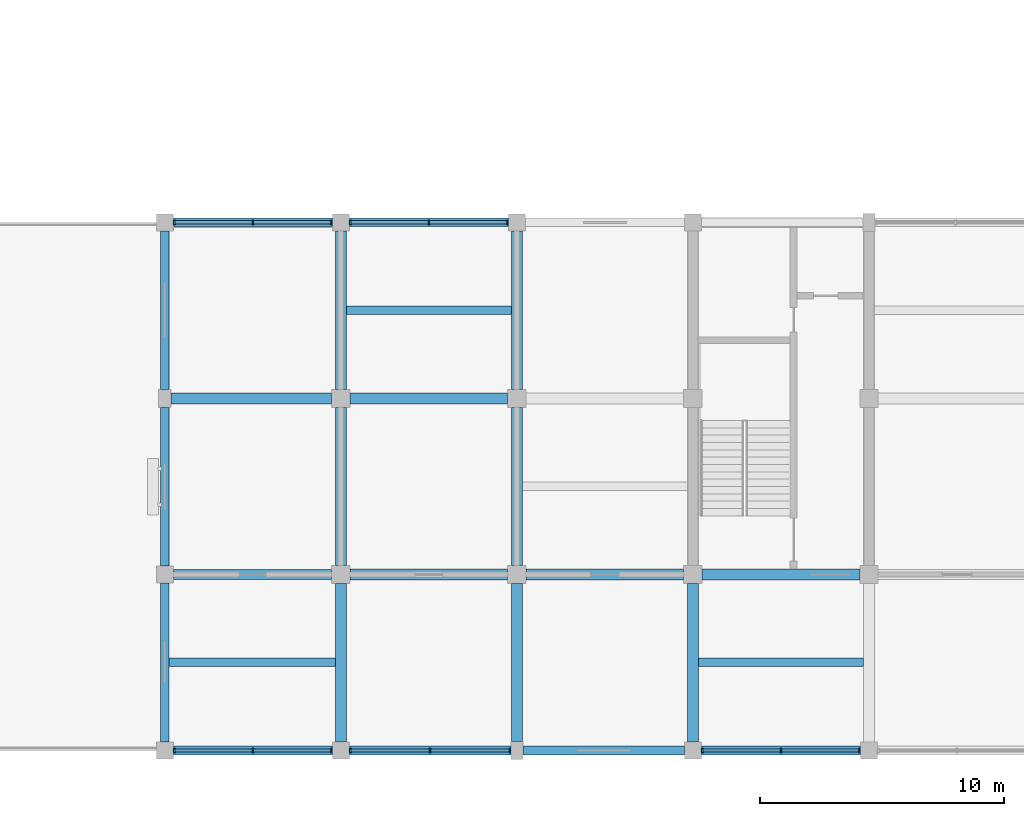
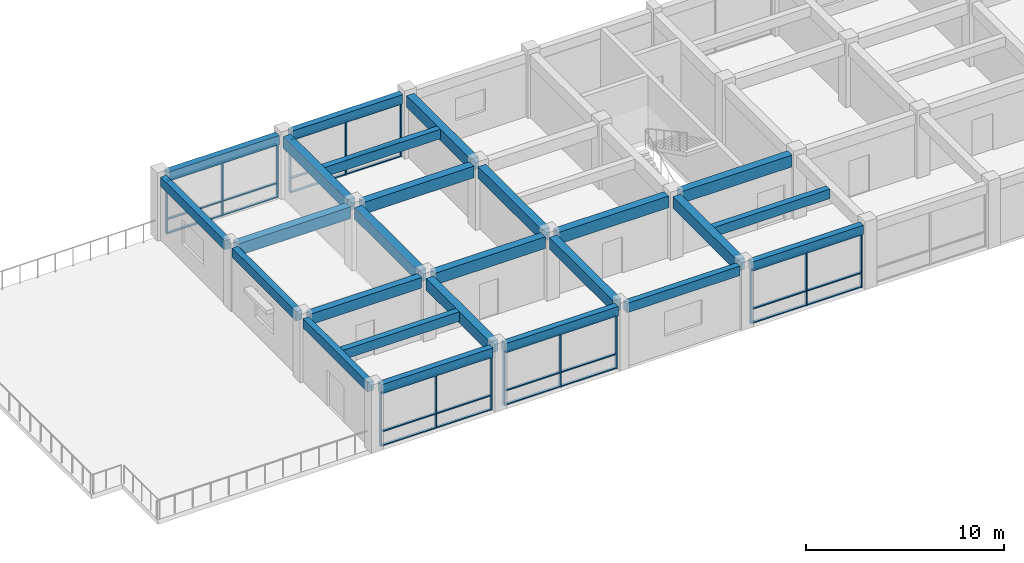
# One storey, part 2 of 31: 45 members, 25 beams, 5 elements without a shape of their own.
"""IFC4 building model written with IfcOpenShell, lengths in metres."""

from ifc_helpers import new_model, si_unit, direction, frame, origin, origin_2d, place, context, subcontext, project, spatial, rectangle, extrude, material, layer, layer_set, material_profile, profile_set, type_object, element, aggregate, save


model = new_model("IFC4")

# Units and contexts
model_context = context("Model", 3, precision=1e-05, world=origin(), true_north=direction((0.0, 1.0)))
body_context = subcontext(model_context, "Body", "Model", "MODEL_VIEW")
ifc_project = project(units=[si_unit("LENGTHUNIT", "METRE"), si_unit("AREAUNIT", "SQUARE_METRE"), si_unit("VOLUMEUNIT", "CUBIC_METRE"), si_unit("PLANEANGLEUNIT", "RADIAN"), si_unit("MASSUNIT", "GRAM", prefix="KILO")], contexts=[model_context])

# Site, building, storey
site_placement = place(None, origin())
site = spatial("IfcSite", under=ifc_project, at=site_placement, CompositionType="ELEMENT")
building_placement = place(site_placement, origin())
building = spatial("IfcBuilding", under=site, at=building_placement, Name="Cendaluz Park School", CompositionType="ELEMENT")
storey_placement = place(building_placement, frame((0.0, 0.0, 14.39990234375)))
storey = spatial("IfcBuildingStorey", under=building, at=storey_placement, Name="L03", CompositionType="ELEMENT", Elevation=14.39990234375)

# Beams
ifc_material_1 = material(Name="Concrete C40/50", Category="concrete")
ifc_material_profile_1 = material_profile(ifc_material_1, rectangle(XDim=0.449951171875, YDim=0.719970703125, at=origin_2d()), Name="RC 450x720", Category="concrete")
ifc_profile_set_1 = profile_set([ifc_material_profile_1], Name="Concrete C40/50")
beam_type_1 = type_object("IfcBeamType", Name="BM-RC02", PredefinedType="BEAM", material=ifc_profile_set_1)
beam_1_placement = place(storey_placement, frame((14.64990234375, 21.60009765625, 3.530029296875), z_axis=(1.0, 0.0, 0.0), x_axis=(0.0, 1.0, 0.0)))
element("IfcBeam", 1, at=beam_1_placement, inside=storey, type_object=beam_type_1, Name="BM-L03-BMRC02-0003", PredefinedType="BEAM", context=body_context, shape_type="SweptSolid", body=[
    extrude(rectangle(XDim=0.449951171875, YDim=0.719970703125, at=origin_2d()), origin(), (0.0, 0.0, 1.0), 6.5751953125),
])
for number, where, z_axis, x_axis, name in (
    (2, (21.97509765625, 14.39990234375, 3.530029296875), (1.0, 0.0, 0.0), (0.0, 1.0, 0.0), "BM-L03-BMRC02-0006"),
    (3, (21.97509765625, 21.60009765625, 3.530029296875), (1.0, 0.0, 0.0), (0.0, 1.0, 0.0), "BM-L03-BMRC02-0007"),
    (4, (29.175048828125, 14.39990234375, 3.530029296875), (1.0, 0.0, 0.0), (0.0, 1.0, 0.0), "BM-L03-BMRC02-0010"),
    (5, (36.375, 14.39990234375, 3.530029296875), (1.0, 0.0, 0.0), (0.0, 1.0, 0.0), "BM-L03-BMRC02-0014"),
):
    element("IfcBeam", number, at=place(storey_placement, frame(where, z_axis=z_axis, x_axis=x_axis)), inside=storey, type_object=beam_type_1, Name=name, PredefinedType="BEAM", context=body_context, shape_type="SweptSolid", body=[
        extrude(rectangle(XDim=0.449951171875, YDim=0.719970703125, at=origin_2d()), origin(), (0.0, 0.0, 1.0), 6.449951171875),
    ])
beam_2_placement = place(storey_placement, frame((21.60009765625, 7.550048828125, 3.530029296875), z_axis=(0.0, 1.0, 0.0), x_axis=(-1.0, 0.0, 0.0)))
element("IfcBeam", 6, at=beam_2_placement, inside=storey, type_object=beam_type_1, Name="BM-L03-BMRC02-0114", PredefinedType="BEAM", context=body_context, shape_type="SweptSolid", body=[
    extrude(rectangle(XDim=0.449951171875, YDim=0.719970703125, at=origin_2d()), origin(), (0.0, 0.0, 1.0), 6.474853515625),
])
beam_3_placement = place(storey_placement, frame((21.60009765625, 14.77490234375, 3.530029296875), z_axis=(0.0, 1.0, 0.0), x_axis=(-1.0, 0.0, 0.0)))
element("IfcBeam", 7, at=beam_3_placement, inside=storey, type_object=beam_type_1, Name="BM-L03-BMRC02-0115", PredefinedType="BEAM", context=body_context, shape_type="SweptSolid", body=[
    extrude(rectangle(XDim=0.449951171875, YDim=0.719970703125, at=origin_2d()), origin(), (0.0, 0.0, 1.0), 6.4501953125),
])
beam_4_placement = place(storey_placement, frame((21.60009765625, 21.97509765625, 3.530029296875), z_axis=(0.0, 1.0, 0.0), x_axis=(-1.0, 0.0, 0.0)))
element("IfcBeam", 8, at=beam_4_placement, inside=storey, type_object=beam_type_1, Name="BM-L03-BMRC02-0116", PredefinedType="BEAM", context=body_context, shape_type="SweptSolid", body=[
    extrude(rectangle(XDim=0.449951171875, YDim=0.719970703125, at=origin_2d()), origin(), (0.0, 0.0, 1.0), 6.474853515625),
])
beam_5_placement = place(storey_placement, frame((28.800048828125, 7.574951171875, 3.530029296875), z_axis=(0.0, 1.0, 0.0), x_axis=(-1.0, 0.0, 0.0)))
element("IfcBeam", 9, at=beam_5_placement, inside=storey, type_object=beam_type_1, Name="BM-L03-BMRC02-0117", PredefinedType="BEAM", context=body_context, shape_type="SweptSolid", body=[
    extrude(rectangle(XDim=0.449951171875, YDim=0.719970703125, at=origin_2d()), origin(), (0.0, 0.0, 1.0), 6.449951171875),
])
beam_6_placement = place(storey_placement, frame((28.800048828125, 14.77490234375, 3.530029296875), z_axis=(0.0, 1.0, 0.0), x_axis=(-1.0, 0.0, 0.0)))
element("IfcBeam", 10, at=beam_6_placement, inside=storey, type_object=beam_type_1, Name="BM-L03-BMRC02-0118", PredefinedType="BEAM", context=body_context, shape_type="SweptSolid", body=[
    extrude(rectangle(XDim=0.449951171875, YDim=0.719970703125, at=origin_2d()), origin(), (0.0, 0.0, 1.0), 6.4501953125),
])
for number, where, z_axis, x_axis, name in (
    (11, (28.800048828125, 21.97509765625, 3.530029296875), (0.0, 1.0, 0.0), (-1.0, 0.0, 0.0), "BM-L03-BMRC02-0119"),
    (12, (36.0, 7.550048828125, 3.530029296875), (0.0, 1.0, 0.0), (-1.0, 0.0, 0.0), "BM-L03-BMRC02-0120"),
):
    element("IfcBeam", number, at=place(storey_placement, frame(where, z_axis=z_axis, x_axis=x_axis)), inside=storey, type_object=beam_type_1, Name=name, PredefinedType="BEAM", context=body_context, shape_type="SweptSolid", body=[
        extrude(rectangle(XDim=0.449951171875, YDim=0.719970703125, at=origin_2d()), origin(), (0.0, 0.0, 1.0), 6.474853515625),
    ])
ifc_material_profile_2 = material_profile(ifc_material_1, rectangle(XDim=0.39990234375, YDim=0.64990234375, at=origin_2d()), Name="RC 400x650", Category="concrete")
ifc_profile_set_2 = profile_set([ifc_material_profile_2], Name="Concrete C40/50")
beam_type_2 = type_object("IfcBeamType", Name="BM-RC03", PredefinedType="T_BEAM", material=ifc_profile_set_2)
beam_7_placement = place(storey_placement, frame((14.75, 14.39990234375, 3.565185546875), z_axis=(1.0, 0.0, 0.0), x_axis=(0.0, 1.0, 0.0)))
element("IfcBeam", 13, at=beam_7_placement, inside=storey, type_object=beam_type_2, Name="BM-L03-BMRC03-0002", PredefinedType="T_BEAM", context=body_context, shape_type="SweptSolid", body=[
    extrude(rectangle(XDim=0.39990234375, YDim=0.64990234375, at=origin_2d()), origin(), (0.0, 0.0, 1.0), 6.47509765625),
])
ifc_material_profile_3 = material_profile(ifc_material_1, rectangle(XDim=0.35009765625, YDim=0.580078125, at=origin_2d()), Name="RC 350x580", Category="concrete")
ifc_profile_set_3 = profile_set([ifc_material_profile_3], Name="Concrete C40/50")
beam_type_3 = type_object("IfcBeamType", Name="BM-RC04", PredefinedType="LINTEL", material=ifc_profile_set_3)
for number, where, z_axis, x_axis, name in (
    (14, (14.75, 7.199951171875, 3.60009765625), (1.0, 0.0, 0.0), (0.0, 1.0, 0.0), "BM-L03-BMRC04-0001"),
    (15, (14.75, 28.800048828125, 3.60009765625), (1.0, 0.0, 0.0), (0.0, 1.0, 0.0), "BM-L03-BMRC04-0004"),
):
    element("IfcBeam", number, at=place(storey_placement, frame(where, z_axis=z_axis, x_axis=x_axis)), inside=storey, type_object=beam_type_3, Name=name, PredefinedType="LINTEL", context=body_context, shape_type="SweptSolid", body=[
        extrude(rectangle(XDim=0.35009765625, YDim=0.580078125, at=origin_2d()), origin(), (0.0, 0.0, 1.0), 6.5),
    ])
beam_8_placement = place(storey_placement, frame((21.949951171875, 7.199951171875, 3.60009765625), z_axis=(1.0, 0.0, 0.0), x_axis=(0.0, 1.0, 0.0)))
element("IfcBeam", 16, at=beam_8_placement, inside=storey, type_object=beam_type_3, Name="BM-L03-BMRC04-0005", PredefinedType="LINTEL", context=body_context, shape_type="SweptSolid", body=[
    extrude(rectangle(XDim=0.35009765625, YDim=0.580078125, at=origin_2d()), origin(), (0.0, 0.0, 1.0), 6.60009765625),
])
beam_9_placement = place(storey_placement, frame((21.949951171875, 28.800048828125, 3.60009765625), z_axis=(1.0, 0.0, 0.0), x_axis=(0.0, 1.0, 0.0)))
element("IfcBeam", 17, at=beam_9_placement, inside=storey, type_object=beam_type_3, Name="BM-L03-BMRC04-0008", PredefinedType="LINTEL", context=body_context, shape_type="SweptSolid", body=[
    extrude(rectangle(XDim=0.35009765625, YDim=0.580078125, at=origin_2d()), origin(), (0.0, 0.0, 1.0), 6.5),
])
beam_10_placement = place(storey_placement, frame((29.050048828125, 7.199951171875, 3.60009765625), z_axis=(1.0, 0.0, 0.0), x_axis=(0.0, 1.0, 0.0)))
element("IfcBeam", 18, at=beam_10_placement, inside=storey, type_object=beam_type_3, Name="BM-L03-BMRC04-0009", PredefinedType="LINTEL", context=body_context, shape_type="SweptSolid", body=[
    extrude(rectangle(XDim=0.35009765625, YDim=0.580078125, at=origin_2d()), origin(), (0.0, 0.0, 1.0), 6.599853515625),
])
for number, where, z_axis, x_axis, name in (
    (19, (36.35009765625, 7.199951171875, 3.60009765625), (1.0, 0.0, 0.0), (0.0, 1.0, 0.0), "BM-L03-BMRC04-0013"),
    (20, (14.39990234375, 7.550048828125, 3.60009765625), (0.0, 1.0, 0.0), (-1.0, 0.0, 0.0), "BM-L03-BMRC04-0111"),
):
    element("IfcBeam", number, at=place(storey_placement, frame(where, z_axis=z_axis, x_axis=x_axis)), inside=storey, type_object=beam_type_3, Name=name, PredefinedType="LINTEL", context=body_context, shape_type="SweptSolid", body=[
        extrude(rectangle(XDim=0.35009765625, YDim=0.580078125, at=origin_2d()), origin(), (0.0, 0.0, 1.0), 6.5),
    ])
beam_11_placement = place(storey_placement, frame((14.39990234375, 14.75, 3.60009765625), z_axis=(0.0, 1.0, 0.0), x_axis=(-1.0, 0.0, 0.0)))
element("IfcBeam", 21, at=beam_11_placement, inside=storey, type_object=beam_type_3, Name="BM-L03-BMRC04-0112", PredefinedType="LINTEL", context=body_context, shape_type="SweptSolid", body=[
    extrude(rectangle(XDim=0.35009765625, YDim=0.580078125, at=origin_2d()), origin(), (0.0, 0.0, 1.0), 6.47509765625),
])
beam_12_placement = place(storey_placement, frame((14.39990234375, 21.97509765625, 3.60009765625), z_axis=(0.0, 1.0, 0.0), x_axis=(-1.0, 0.0, 0.0)))
element("IfcBeam", 22, at=beam_12_placement, inside=storey, type_object=beam_type_3, Name="BM-L03-BMRC04-0113", PredefinedType="LINTEL", context=body_context, shape_type="SweptSolid", body=[
    extrude(rectangle(XDim=0.35009765625, YDim=0.580078125, at=origin_2d()), origin(), (0.0, 0.0, 1.0), 6.474853515625),
])

# Curtain wall, members
ifc_material_2 = material(Name="Anodised Aluminium 6063-T6", Category="aluminium")
ifc_layer_1 = layer(ifc_material_2, 0.179931640625)
ifc_layer_set_1 = layer_set([ifc_layer_1], Name="Anodised Aluminium 6063-T6")
curtain_wall_type_1 = type_object("IfcCurtainWallType", Name="CW-130x66", PredefinedType="NOTDEFINED", material=ifc_layer_set_1)
curtain_wall_1_placement = place(storey_placement, origin())
curtain_wall_1 = element("IfcCurtainWall", 23, at=curtain_wall_1_placement, inside=storey, type_object=curtain_wall_type_1, Name="CW-L03-131", PredefinedType="NOTDEFINED")
ifc_material_profile_4 = material_profile(ifc_material_2, rectangle(XDim=0.179931640625, YDim=0.070068359375, at=origin_2d()), Name="CWM 180x70", Category="aluminium")
ifc_profile_set_4 = profile_set([ifc_material_profile_4], Name="Anodised Aluminium 6063-T6")
member_type_1 = type_object("IfcMemberType", Name="CWM-01", PredefinedType="MULLION", material=ifc_profile_set_4)
member_1_placement = place(storey_placement, frame((14.784912109375, 7.199951171875, 0.0), z_axis=(0.0, 0.0, 1.0), x_axis=(0.0, 1.0, 0.0)))
member_1 = element("IfcMember", 24, at=member_1_placement, type_object=member_type_1, Name="CP-L03-1691", PredefinedType="MULLION", context=body_context, shape_type="SweptSolid", body=[
    extrude(rectangle(XDim=0.179931640625, YDim=0.070068359375, at=origin_2d()), origin(), (0.0, 0.0, 1.0), 3.31005859375),
])
member_2_placement = place(storey_placement, frame((18.0, 7.199951171875, 0.0), z_axis=(0.0, 0.0, 1.0), x_axis=(0.0, 1.0, 0.0)))
member_2 = element("IfcMember", 25, at=member_2_placement, type_object=member_type_1, Name="CP-L03-1692", PredefinedType="MULLION", context=body_context, shape_type="SweptSolid", body=[
    extrude(rectangle(XDim=0.179931640625, YDim=0.070068359375, at=origin_2d()), origin(), (0.0, 0.0, 1.0), 3.31005859375),
])
member_3_placement = place(storey_placement, frame((21.215087890625, 7.199951171875, 0.0), z_axis=(0.0, 0.0, 1.0), x_axis=(0.0, 1.0, 0.0)))
member_3 = element("IfcMember", 26, at=member_3_placement, type_object=member_type_1, Name="CP-L03-1693", PredefinedType="MULLION", context=body_context, shape_type="SweptSolid", body=[
    extrude(rectangle(XDim=0.179931640625, YDim=0.070068359375, at=origin_2d()), origin(), (0.0, 0.0, 1.0), 3.31005859375),
])

curtain_wall_2_placement = place(storey_placement, origin())
curtain_wall_2 = element("IfcCurtainWall", 27, at=curtain_wall_2_placement, inside=storey, type_object=curtain_wall_type_1, Name="CW-L03-132", PredefinedType="NOTDEFINED")
member_4_placement = place(storey_placement, frame((14.784912109375, 28.800048828125, 0.0), z_axis=(0.0, 0.0, 1.0), x_axis=(0.0, 1.0, 0.0)))
member_4 = element("IfcMember", 28, at=member_4_placement, type_object=member_type_1, Name="CP-L03-1704", PredefinedType="MULLION", context=body_context, shape_type="SweptSolid", body=[
    extrude(rectangle(XDim=0.179931640625, YDim=0.070068359375, at=origin_2d()), origin(), (0.0, 0.0, 1.0), 3.31005859375),
])
member_5_placement = place(storey_placement, frame((18.0, 28.800048828125, 0.0), z_axis=(0.0, 0.0, 1.0), x_axis=(0.0, 1.0, 0.0)))
member_5 = element("IfcMember", 29, at=member_5_placement, type_object=member_type_1, Name="CP-L03-1705", PredefinedType="MULLION", context=body_context, shape_type="SweptSolid", body=[
    extrude(rectangle(XDim=0.179931640625, YDim=0.070068359375, at=origin_2d()), origin(), (0.0, 0.0, 1.0), 3.31005859375),
])
member_6_placement = place(storey_placement, frame((21.215087890625, 28.800048828125, 0.0), z_axis=(0.0, 0.0, 1.0), x_axis=(0.0, 1.0, 0.0)))
member_6 = element("IfcMember", 30, at=member_6_placement, type_object=member_type_1, Name="CP-L03-1706", PredefinedType="MULLION", context=body_context, shape_type="SweptSolid", body=[
    extrude(rectangle(XDim=0.179931640625, YDim=0.070068359375, at=origin_2d()), origin(), (0.0, 0.0, 1.0), 3.31005859375),
])

ifc_layer_2 = layer(ifc_material_2, 0.179931640625)
ifc_layer_set_2 = layer_set([ifc_layer_2], Name="Anodised Aluminium 6063-T6")
curtain_wall_type_2 = type_object("IfcCurtainWallType", Name="CW-132x66", PredefinedType="NOTDEFINED", material=ifc_layer_set_2)
curtain_wall_3_placement = place(storey_placement, origin())
curtain_wall_3 = element("IfcCurtainWall", 31, at=curtain_wall_3_placement, inside=storey, type_object=curtain_wall_type_2, Name="CW-L03-133", PredefinedType="NOTDEFINED")
member_7_placement = place(storey_placement, frame((21.985107421875, 7.199951171875, 0.0), z_axis=(0.0, 0.0, 1.0), x_axis=(0.0, 1.0, 0.0)))
member_7 = element("IfcMember", 32, at=member_7_placement, type_object=member_type_1, Name="CP-L03-1717", PredefinedType="MULLION", context=body_context, shape_type="SweptSolid", body=[
    extrude(rectangle(XDim=0.179931640625, YDim=0.070068359375, at=origin_2d()), origin(), (0.0, 0.0, 1.0), 3.31005859375),
])
member_8_placement = place(storey_placement, frame((25.25, 7.199951171875, 0.0), z_axis=(0.0, 0.0, 1.0), x_axis=(0.0, 1.0, 0.0)))
member_8 = element("IfcMember", 33, at=member_8_placement, type_object=member_type_1, Name="CP-L03-1718", PredefinedType="MULLION", context=body_context, shape_type="SweptSolid", body=[
    extrude(rectangle(XDim=0.179931640625, YDim=0.070068359375, at=origin_2d()), origin(), (0.0, 0.0, 1.0), 3.31005859375),
])
member_9_placement = place(storey_placement, frame((28.514892578125, 7.199951171875, 0.0), z_axis=(0.0, 0.0, 1.0), x_axis=(0.0, 1.0, 0.0)))
member_9 = element("IfcMember", 34, at=member_9_placement, type_object=member_type_1, Name="CP-L03-1719", PredefinedType="MULLION", context=body_context, shape_type="SweptSolid", body=[
    extrude(rectangle(XDim=0.179931640625, YDim=0.070068359375, at=origin_2d()), origin(), (0.0, 0.0, 1.0), 3.31005859375),
])

curtain_wall_4_placement = place(storey_placement, origin())
curtain_wall_4 = element("IfcCurtainWall", 35, at=curtain_wall_4_placement, inside=storey, type_object=curtain_wall_type_1, Name="CW-L03-134", PredefinedType="NOTDEFINED")
member_10_placement = place(storey_placement, frame((21.985107421875, 28.800048828125, 0.0), z_axis=(0.0, 0.0, 1.0), x_axis=(0.0, 1.0, 0.0)))
member_10 = element("IfcMember", 36, at=member_10_placement, type_object=member_type_1, Name="CP-L03-1730", PredefinedType="MULLION", context=body_context, shape_type="SweptSolid", body=[
    extrude(rectangle(XDim=0.179931640625, YDim=0.070068359375, at=origin_2d()), origin(), (0.0, 0.0, 1.0), 3.31005859375),
])
member_11_placement = place(storey_placement, frame((25.199951171875, 28.800048828125, 0.0), z_axis=(0.0, 0.0, 1.0), x_axis=(0.0, 1.0, 0.0)))
member_11 = element("IfcMember", 37, at=member_11_placement, type_object=member_type_1, Name="CP-L03-1731", PredefinedType="MULLION", context=body_context, shape_type="SweptSolid", body=[
    extrude(rectangle(XDim=0.179931640625, YDim=0.070068359375, at=origin_2d()), origin(), (0.0, 0.0, 1.0), 3.31005859375),
])
member_12_placement = place(storey_placement, frame((28.4150390625, 28.800048828125, 0.0), z_axis=(0.0, 0.0, 1.0), x_axis=(0.0, 1.0, 0.0)))
member_12 = element("IfcMember", 38, at=member_12_placement, type_object=member_type_1, Name="CP-L03-1732", PredefinedType="MULLION", context=body_context, shape_type="SweptSolid", body=[
    extrude(rectangle(XDim=0.179931640625, YDim=0.070068359375, at=origin_2d()), origin(), (0.0, 0.0, 1.0), 3.31005859375),
])

curtain_wall_5_placement = place(storey_placement, origin())
curtain_wall_5 = element("IfcCurtainWall", 39, at=curtain_wall_5_placement, inside=storey, type_object=curtain_wall_type_1, Name="CW-L03-135", PredefinedType="NOTDEFINED")
member_13_placement = place(storey_placement, frame((36.385009765625, 7.199951171875, 0.0), z_axis=(0.0, 0.0, 1.0), x_axis=(0.0, 1.0, 0.0)))
member_13 = element("IfcMember", 40, at=member_13_placement, type_object=member_type_1, Name="CP-L03-1743", PredefinedType="MULLION", context=body_context, shape_type="SweptSolid", body=[
    extrude(rectangle(XDim=0.179931640625, YDim=0.070068359375, at=origin_2d()), origin(), (0.0, 0.0, 1.0), 3.31005859375),
])
member_14_placement = place(storey_placement, frame((39.60009765625, 7.199951171875, 0.0), z_axis=(0.0, 0.0, 1.0), x_axis=(0.0, 1.0, 0.0)))
member_14 = element("IfcMember", 41, at=member_14_placement, type_object=member_type_1, Name="CP-L03-1744", PredefinedType="MULLION", context=body_context, shape_type="SweptSolid", body=[
    extrude(rectangle(XDim=0.179931640625, YDim=0.070068359375, at=origin_2d()), origin(), (0.0, 0.0, 1.0), 3.31005859375),
])
member_15_placement = place(storey_placement, frame((42.81494140625, 7.199951171875, 0.0), z_axis=(0.0, 0.0, 1.0), x_axis=(0.0, 1.0, 0.0)))
member_15 = element("IfcMember", 42, at=member_15_placement, type_object=member_type_1, Name="CP-L03-1745", PredefinedType="MULLION", context=body_context, shape_type="SweptSolid", body=[
    extrude(rectangle(XDim=0.179931640625, YDim=0.070068359375, at=origin_2d()), origin(), (0.0, 0.0, 1.0), 3.31005859375),
])

# Member
ifc_material_profile_5 = material_profile(ifc_material_2, rectangle(XDim=0.139892578125, YDim=0.070068359375, at=origin_2d()), Name="CWT 140x70", Category="aluminium")
ifc_profile_set_5 = profile_set([ifc_material_profile_5], Name="Anodised Aluminium 6063-T6")
member_type_2 = type_object("IfcMemberType", Name="CWT-01", PredefinedType="USERDEFINED", material=ifc_profile_set_5)
member_16_placement = place(storey_placement, frame((14.820068359375, 7.199951171875, 0.03515625), z_axis=(1.0, 0.0, 0.0), x_axis=(0.0, 1.0, 0.0)))
member_16 = element("IfcMember", 43, at=member_16_placement, type_object=member_type_2, Name="CP-L03-1694", ObjectType="TRANSOM", PredefinedType="USERDEFINED", context=body_context, shape_type="SweptSolid", body=[
    extrude(rectangle(XDim=0.139892578125, YDim=0.070068359375, at=origin_2d()), origin(), (0.0, 0.0, 1.0), 3.14501953125),
])

member_17_placement = place(storey_placement, frame((14.820068359375, 7.199951171875, 0.900146484375), z_axis=(1.0, 0.0, 0.0), x_axis=(0.0, 1.0, 0.0)))
member_17 = element("IfcMember", 44, at=member_17_placement, type_object=member_type_2, Name="CP-L03-1695", ObjectType="TRANSOM", PredefinedType="USERDEFINED", context=body_context, shape_type="SweptSolid", body=[
    extrude(rectangle(XDim=0.139892578125, YDim=0.070068359375, at=origin_2d()), origin(), (0.0, 0.0, 1.0), 3.14501953125),
])

member_18_placement = place(storey_placement, frame((14.820068359375, 7.199951171875, 3.275146484375), z_axis=(1.0, 0.0, 0.0), x_axis=(0.0, 1.0, 0.0)))
member_18 = element("IfcMember", 45, at=member_18_placement, type_object=member_type_2, Name="CP-L03-1696", ObjectType="TRANSOM", PredefinedType="USERDEFINED", context=body_context, shape_type="SweptSolid", body=[
    extrude(rectangle(XDim=0.139892578125, YDim=0.070068359375, at=origin_2d()), origin(), (0.0, 0.0, 1.0), 3.14501953125),
])

member_19_placement = place(storey_placement, frame((18.034912109375, 7.199951171875, 0.03515625), z_axis=(1.0, 0.0, 0.0), x_axis=(0.0, 1.0, 0.0)))
member_19 = element("IfcMember", 46, at=member_19_placement, type_object=member_type_2, Name="CP-L03-1699", ObjectType="TRANSOM", PredefinedType="USERDEFINED", context=body_context, shape_type="SweptSolid", body=[
    extrude(rectangle(XDim=0.139892578125, YDim=0.070068359375, at=origin_2d()), origin(), (0.0, 0.0, 1.0), 3.14501953125),
])

member_20_placement = place(storey_placement, frame((18.034912109375, 7.199951171875, 0.900146484375), z_axis=(1.0, 0.0, 0.0), x_axis=(0.0, 1.0, 0.0)))
member_20 = element("IfcMember", 47, at=member_20_placement, type_object=member_type_2, Name="CP-L03-1700", ObjectType="TRANSOM", PredefinedType="USERDEFINED", context=body_context, shape_type="SweptSolid", body=[
    extrude(rectangle(XDim=0.139892578125, YDim=0.070068359375, at=origin_2d()), origin(), (0.0, 0.0, 1.0), 3.14501953125),
])

member_21_placement = place(storey_placement, frame((18.034912109375, 7.199951171875, 3.275146484375), z_axis=(1.0, 0.0, 0.0), x_axis=(0.0, 1.0, 0.0)))
member_21 = element("IfcMember", 48, at=member_21_placement, type_object=member_type_2, Name="CP-L03-1701", ObjectType="TRANSOM", PredefinedType="USERDEFINED", context=body_context, shape_type="SweptSolid", body=[
    extrude(rectangle(XDim=0.139892578125, YDim=0.070068359375, at=origin_2d()), origin(), (0.0, 0.0, 1.0), 3.14501953125),
])

aggregate(curtain_wall_1, [member_1, member_2, member_3, member_16, member_17, member_18, member_19, member_20, member_21])

member_22_placement = place(storey_placement, frame((14.820068359375, 28.800048828125, 0.03515625), z_axis=(1.0, 0.0, 0.0), x_axis=(0.0, 1.0, 0.0)))
member_22 = element("IfcMember", 49, at=member_22_placement, type_object=member_type_2, Name="CP-L03-1707", ObjectType="TRANSOM", PredefinedType="USERDEFINED", context=body_context, shape_type="SweptSolid", body=[
    extrude(rectangle(XDim=0.139892578125, YDim=0.070068359375, at=origin_2d()), origin(), (0.0, 0.0, 1.0), 3.14501953125),
])

member_23_placement = place(storey_placement, frame((14.820068359375, 28.800048828125, 0.900146484375), z_axis=(1.0, 0.0, 0.0), x_axis=(0.0, 1.0, 0.0)))
member_23 = element("IfcMember", 50, at=member_23_placement, type_object=member_type_2, Name="CP-L03-1708", ObjectType="TRANSOM", PredefinedType="USERDEFINED", context=body_context, shape_type="SweptSolid", body=[
    extrude(rectangle(XDim=0.139892578125, YDim=0.070068359375, at=origin_2d()), origin(), (0.0, 0.0, 1.0), 3.14501953125),
])

member_24_placement = place(storey_placement, frame((14.820068359375, 28.800048828125, 3.275146484375), z_axis=(1.0, 0.0, 0.0), x_axis=(0.0, 1.0, 0.0)))
member_24 = element("IfcMember", 51, at=member_24_placement, type_object=member_type_2, Name="CP-L03-1709", ObjectType="TRANSOM", PredefinedType="USERDEFINED", context=body_context, shape_type="SweptSolid", body=[
    extrude(rectangle(XDim=0.139892578125, YDim=0.070068359375, at=origin_2d()), origin(), (0.0, 0.0, 1.0), 3.14501953125),
])

member_25_placement = place(storey_placement, frame((18.034912109375, 28.800048828125, 0.03515625), z_axis=(1.0, 0.0, 0.0), x_axis=(0.0, 1.0, 0.0)))
member_25 = element("IfcMember", 52, at=member_25_placement, type_object=member_type_2, Name="CP-L03-1712", ObjectType="TRANSOM", PredefinedType="USERDEFINED", context=body_context, shape_type="SweptSolid", body=[
    extrude(rectangle(XDim=0.139892578125, YDim=0.070068359375, at=origin_2d()), origin(), (0.0, 0.0, 1.0), 3.14501953125),
])

member_26_placement = place(storey_placement, frame((18.034912109375, 28.800048828125, 0.900146484375), z_axis=(1.0, 0.0, 0.0), x_axis=(0.0, 1.0, 0.0)))
member_26 = element("IfcMember", 53, at=member_26_placement, type_object=member_type_2, Name="CP-L03-1713", ObjectType="TRANSOM", PredefinedType="USERDEFINED", context=body_context, shape_type="SweptSolid", body=[
    extrude(rectangle(XDim=0.139892578125, YDim=0.070068359375, at=origin_2d()), origin(), (0.0, 0.0, 1.0), 3.14501953125),
])

member_27_placement = place(storey_placement, frame((18.034912109375, 28.800048828125, 3.275146484375), z_axis=(1.0, 0.0, 0.0), x_axis=(0.0, 1.0, 0.0)))
member_27 = element("IfcMember", 54, at=member_27_placement, type_object=member_type_2, Name="CP-L03-1714", ObjectType="TRANSOM", PredefinedType="USERDEFINED", context=body_context, shape_type="SweptSolid", body=[
    extrude(rectangle(XDim=0.139892578125, YDim=0.070068359375, at=origin_2d()), origin(), (0.0, 0.0, 1.0), 3.14501953125),
])

aggregate(curtain_wall_2, [member_4, member_5, member_6, member_22, member_23, member_24, member_25, member_26, member_27])

member_28_placement = place(storey_placement, frame((22.02001953125, 7.199951171875, 0.03515625), z_axis=(1.0, 0.0, 0.0), x_axis=(0.0, 1.0, 0.0)))
member_28 = element("IfcMember", 55, at=member_28_placement, type_object=member_type_2, Name="CP-L03-1720", ObjectType="TRANSOM", PredefinedType="USERDEFINED", context=body_context, shape_type="SweptSolid", body=[
    extrude(rectangle(XDim=0.139892578125, YDim=0.070068359375, at=origin_2d()), origin(), (0.0, 0.0, 1.0), 3.195068359375),
])

member_29_placement = place(storey_placement, frame((22.02001953125, 7.199951171875, 0.900146484375), z_axis=(1.0, 0.0, 0.0), x_axis=(0.0, 1.0, 0.0)))
member_29 = element("IfcMember", 56, at=member_29_placement, type_object=member_type_2, Name="CP-L03-1721", ObjectType="TRANSOM", PredefinedType="USERDEFINED", context=body_context, shape_type="SweptSolid", body=[
    extrude(rectangle(XDim=0.139892578125, YDim=0.070068359375, at=origin_2d()), origin(), (0.0, 0.0, 1.0), 3.195068359375),
])

member_30_placement = place(storey_placement, frame((22.02001953125, 7.199951171875, 3.275146484375), z_axis=(1.0, 0.0, 0.0), x_axis=(0.0, 1.0, 0.0)))
member_30 = element("IfcMember", 57, at=member_30_placement, type_object=member_type_2, Name="CP-L03-1722", ObjectType="TRANSOM", PredefinedType="USERDEFINED", context=body_context, shape_type="SweptSolid", body=[
    extrude(rectangle(XDim=0.139892578125, YDim=0.070068359375, at=origin_2d()), origin(), (0.0, 0.0, 1.0), 3.195068359375),
])

member_31_placement = place(storey_placement, frame((25.284912109375, 7.199951171875, 0.03515625), z_axis=(1.0, 0.0, 0.0), x_axis=(0.0, 1.0, 0.0)))
member_31 = element("IfcMember", 58, at=member_31_placement, type_object=member_type_2, Name="CP-L03-1725", ObjectType="TRANSOM", PredefinedType="USERDEFINED", context=body_context, shape_type="SweptSolid", body=[
    extrude(rectangle(XDim=0.139892578125, YDim=0.070068359375, at=origin_2d()), origin(), (0.0, 0.0, 1.0), 3.195068359375),
])

member_32_placement = place(storey_placement, frame((25.284912109375, 7.199951171875, 0.900146484375), z_axis=(1.0, 0.0, 0.0), x_axis=(0.0, 1.0, 0.0)))
member_32 = element("IfcMember", 59, at=member_32_placement, type_object=member_type_2, Name="CP-L03-1726", ObjectType="TRANSOM", PredefinedType="USERDEFINED", context=body_context, shape_type="SweptSolid", body=[
    extrude(rectangle(XDim=0.139892578125, YDim=0.070068359375, at=origin_2d()), origin(), (0.0, 0.0, 1.0), 3.195068359375),
])

member_33_placement = place(storey_placement, frame((25.284912109375, 7.199951171875, 3.275146484375), z_axis=(1.0, 0.0, 0.0), x_axis=(0.0, 1.0, 0.0)))
member_33 = element("IfcMember", 60, at=member_33_placement, type_object=member_type_2, Name="CP-L03-1727", ObjectType="TRANSOM", PredefinedType="USERDEFINED", context=body_context, shape_type="SweptSolid", body=[
    extrude(rectangle(XDim=0.139892578125, YDim=0.070068359375, at=origin_2d()), origin(), (0.0, 0.0, 1.0), 3.195068359375),
])

aggregate(curtain_wall_3, [member_7, member_8, member_9, member_28, member_29, member_30, member_31, member_32, member_33])

member_34_placement = place(storey_placement, frame((22.02001953125, 28.800048828125, 0.03515625), z_axis=(1.0, 0.0, 0.0), x_axis=(0.0, 1.0, 0.0)))
member_34 = element("IfcMember", 61, at=member_34_placement, type_object=member_type_2, Name="CP-L03-1733", ObjectType="TRANSOM", PredefinedType="USERDEFINED", context=body_context, shape_type="SweptSolid", body=[
    extrude(rectangle(XDim=0.139892578125, YDim=0.070068359375, at=origin_2d()), origin(), (0.0, 0.0, 1.0), 3.14501953125),
])

member_35_placement = place(storey_placement, frame((22.02001953125, 28.800048828125, 0.900146484375), z_axis=(1.0, 0.0, 0.0), x_axis=(0.0, 1.0, 0.0)))
member_35 = element("IfcMember", 62, at=member_35_placement, type_object=member_type_2, Name="CP-L03-1734", ObjectType="TRANSOM", PredefinedType="USERDEFINED", context=body_context, shape_type="SweptSolid", body=[
    extrude(rectangle(XDim=0.139892578125, YDim=0.070068359375, at=origin_2d()), origin(), (0.0, 0.0, 1.0), 3.14501953125),
])

member_36_placement = place(storey_placement, frame((22.02001953125, 28.800048828125, 3.275146484375), z_axis=(1.0, 0.0, 0.0), x_axis=(0.0, 1.0, 0.0)))
member_36 = element("IfcMember", 63, at=member_36_placement, type_object=member_type_2, Name="CP-L03-1735", ObjectType="TRANSOM", PredefinedType="USERDEFINED", context=body_context, shape_type="SweptSolid", body=[
    extrude(rectangle(XDim=0.139892578125, YDim=0.070068359375, at=origin_2d()), origin(), (0.0, 0.0, 1.0), 3.14501953125),
])

member_37_placement = place(storey_placement, frame((25.235107421875, 28.800048828125, 0.03515625), z_axis=(1.0, 0.0, 0.0), x_axis=(0.0, 1.0, 0.0)))
member_37 = element("IfcMember", 64, at=member_37_placement, type_object=member_type_2, Name="CP-L03-1738", ObjectType="TRANSOM", PredefinedType="USERDEFINED", context=body_context, shape_type="SweptSolid", body=[
    extrude(rectangle(XDim=0.139892578125, YDim=0.070068359375, at=origin_2d()), origin(), (0.0, 0.0, 1.0), 3.144775390625),
])

member_38_placement = place(storey_placement, frame((25.235107421875, 28.800048828125, 0.900146484375), z_axis=(1.0, 0.0, 0.0), x_axis=(0.0, 1.0, 0.0)))
member_38 = element("IfcMember", 65, at=member_38_placement, type_object=member_type_2, Name="CP-L03-1739", ObjectType="TRANSOM", PredefinedType="USERDEFINED", context=body_context, shape_type="SweptSolid", body=[
    extrude(rectangle(XDim=0.139892578125, YDim=0.070068359375, at=origin_2d()), origin(), (0.0, 0.0, 1.0), 3.144775390625),
])

member_39_placement = place(storey_placement, frame((25.235107421875, 28.800048828125, 3.275146484375), z_axis=(1.0, 0.0, 0.0), x_axis=(0.0, 1.0, 0.0)))
member_39 = element("IfcMember", 66, at=member_39_placement, type_object=member_type_2, Name="CP-L03-1740", ObjectType="TRANSOM", PredefinedType="USERDEFINED", context=body_context, shape_type="SweptSolid", body=[
    extrude(rectangle(XDim=0.139892578125, YDim=0.070068359375, at=origin_2d()), origin(), (0.0, 0.0, 1.0), 3.144775390625),
])

aggregate(curtain_wall_4, [member_10, member_11, member_12, member_34, member_35, member_36, member_37, member_38, member_39])

member_40_placement = place(storey_placement, frame((36.419921875, 7.199951171875, 0.03515625), z_axis=(1.0, 0.0, 0.0), x_axis=(0.0, 1.0, 0.0)))
member_40 = element("IfcMember", 67, at=member_40_placement, type_object=member_type_2, Name="CP-L03-1746", ObjectType="TRANSOM", PredefinedType="USERDEFINED", context=body_context, shape_type="SweptSolid", body=[
    extrude(rectangle(XDim=0.139892578125, YDim=0.070068359375, at=origin_2d()), origin(), (0.0, 0.0, 1.0), 3.14501953125),
])

member_41_placement = place(storey_placement, frame((36.419921875, 7.199951171875, 0.900146484375), z_axis=(1.0, 0.0, 0.0), x_axis=(0.0, 1.0, 0.0)))
member_41 = element("IfcMember", 68, at=member_41_placement, type_object=member_type_2, Name="CP-L03-1747", ObjectType="TRANSOM", PredefinedType="USERDEFINED", context=body_context, shape_type="SweptSolid", body=[
    extrude(rectangle(XDim=0.139892578125, YDim=0.070068359375, at=origin_2d()), origin(), (0.0, 0.0, 1.0), 3.14501953125),
])

member_42_placement = place(storey_placement, frame((36.419921875, 7.199951171875, 3.275146484375), z_axis=(1.0, 0.0, 0.0), x_axis=(0.0, 1.0, 0.0)))
member_42 = element("IfcMember", 69, at=member_42_placement, type_object=member_type_2, Name="CP-L03-1748", ObjectType="TRANSOM", PredefinedType="USERDEFINED", context=body_context, shape_type="SweptSolid", body=[
    extrude(rectangle(XDim=0.139892578125, YDim=0.070068359375, at=origin_2d()), origin(), (0.0, 0.0, 1.0), 3.14501953125),
])

member_43_placement = place(storey_placement, frame((39.635009765625, 7.199951171875, 0.03515625), z_axis=(1.0, 0.0, 0.0), x_axis=(0.0, 1.0, 0.0)))
member_43 = element("IfcMember", 70, at=member_43_placement, type_object=member_type_2, Name="CP-L03-1751", ObjectType="TRANSOM", PredefinedType="USERDEFINED", context=body_context, shape_type="SweptSolid", body=[
    extrude(rectangle(XDim=0.139892578125, YDim=0.070068359375, at=origin_2d()), origin(), (0.0, 0.0, 1.0), 3.14501953125),
])

member_44_placement = place(storey_placement, frame((39.635009765625, 7.199951171875, 0.900146484375), z_axis=(1.0, 0.0, 0.0), x_axis=(0.0, 1.0, 0.0)))
member_44 = element("IfcMember", 71, at=member_44_placement, type_object=member_type_2, Name="CP-L03-1752", ObjectType="TRANSOM", PredefinedType="USERDEFINED", context=body_context, shape_type="SweptSolid", body=[
    extrude(rectangle(XDim=0.139892578125, YDim=0.070068359375, at=origin_2d()), origin(), (0.0, 0.0, 1.0), 3.14501953125),
])

member_45_placement = place(storey_placement, frame((39.635009765625, 7.199951171875, 3.275146484375), z_axis=(1.0, 0.0, 0.0), x_axis=(0.0, 1.0, 0.0)))
member_45 = element("IfcMember", 72, at=member_45_placement, type_object=member_type_2, Name="CP-L03-1753", ObjectType="TRANSOM", PredefinedType="USERDEFINED", context=body_context, shape_type="SweptSolid", body=[
    extrude(rectangle(XDim=0.139892578125, YDim=0.070068359375, at=origin_2d()), origin(), (0.0, 0.0, 1.0), 3.14501953125),
])

aggregate(curtain_wall_5, [member_13, member_14, member_15, member_40, member_41, member_42, member_43, member_44, member_45])

# Beams
ifc_material_profile_6 = material_profile(ifc_material_1, rectangle(XDim=0.35009765625, YDim=0.580078125, at=origin_2d()), Name="RC 350x580", Category="concrete")
ifc_profile_set_6 = profile_set([ifc_material_profile_6], Name="Concrete C40/50")
beam_type_4 = type_object("IfcBeamType", Name="JT-RC01", PredefinedType="JOIST", material=ifc_profile_set_6)
beam_13_placement = place(storey_placement, frame((14.574951171875, 10.800048828125, 3.60009765625), z_axis=(1.0, 0.0, 0.0), x_axis=(0.0, 1.0, 0.0)))
element("IfcBeam", 73, at=beam_13_placement, inside=storey, type_object=beam_type_4, Name="BM-L03-JTRC01-0216", PredefinedType="JOIST", context=body_context, shape_type="SweptSolid", body=[
    extrude(rectangle(XDim=0.35009765625, YDim=0.580078125, at=origin_2d()), origin(), (0.0, 0.0, 1.0), 6.800048828125),
])
for number, where, z_axis, x_axis, name in (
    (74, (21.824951171875, 25.199951171875, 3.60009765625), (1.0, 0.0, 0.0), (0.0, 1.0, 0.0), "BM-L03-JTRC01-0217"),
    (75, (36.22509765625, 10.800048828125, 3.60009765625), (1.0, 0.0, 0.0), (0.0, 1.0, 0.0), "BM-L03-JTRC01-0219"),
):
    element("IfcBeam", number, at=place(storey_placement, frame(where, z_axis=z_axis, x_axis=x_axis)), inside=storey, type_object=beam_type_4, Name=name, PredefinedType="JOIST", context=body_context, shape_type="SweptSolid", body=[
        extrude(rectangle(XDim=0.35009765625, YDim=0.580078125, at=origin_2d()), origin(), (0.0, 0.0, 1.0), 6.75),
    ])

save(model, "model.ifc")
